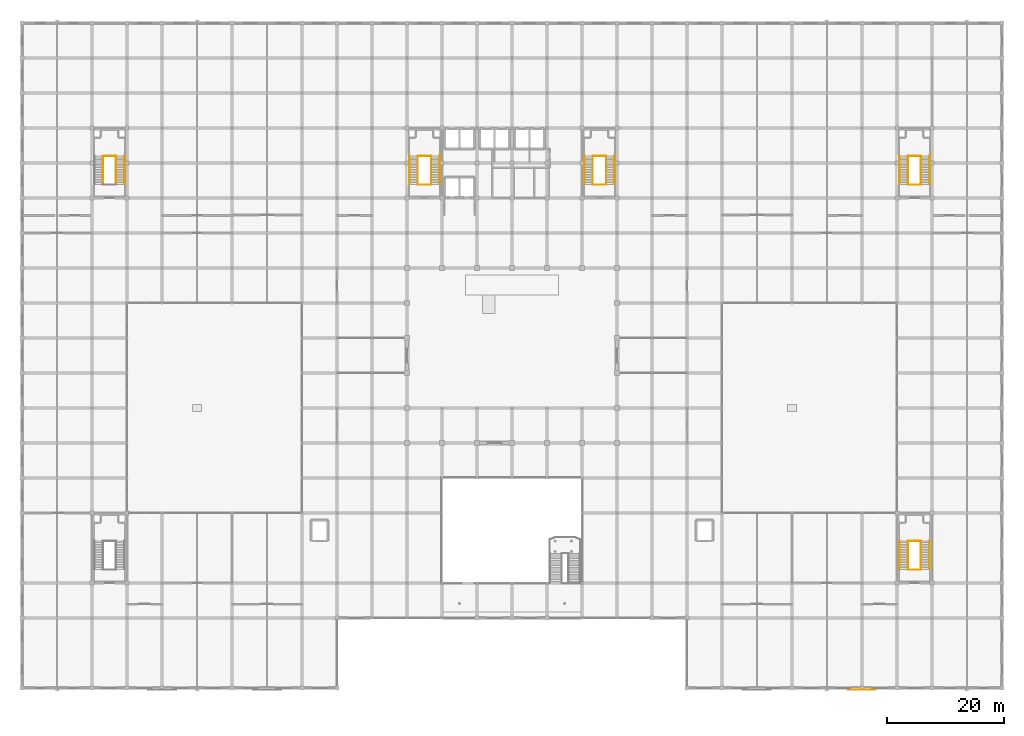
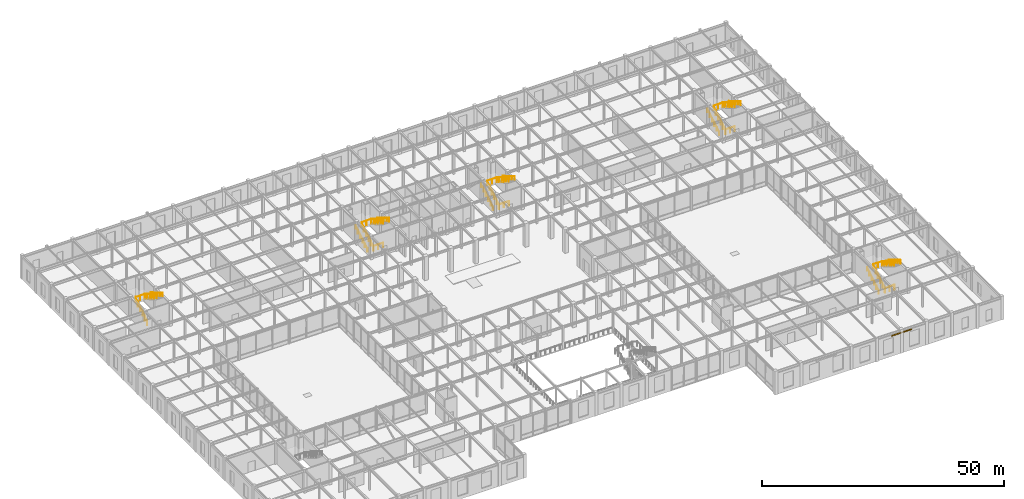
# One storey, part 108 of 108: 18 railings, 1 covering.
"""IFC4 building model written with IfcOpenShell, lengths in metres."""

from ifc_helpers import new_model, si_unit, direction, frame, origin, origin_2d, place, context, subcontext, project, spatial, rectangle, circle, extrude, material, layer, layer_set, type_object, element, save


model = new_model("IFC4")

# Units and contexts
model_context = context("Model", 3, precision=1e-05, world=origin(), true_north=direction((0.0, 1.0)))
body_context = subcontext(model_context, "Body", "Model", "MODEL_VIEW")
ifc_project = project(units=[si_unit("LENGTHUNIT", "METRE"), si_unit("AREAUNIT", "SQUARE_METRE"), si_unit("VOLUMEUNIT", "CUBIC_METRE"), si_unit("PLANEANGLEUNIT", "RADIAN"), si_unit("MASSUNIT", "GRAM", prefix="KILO")], contexts=[model_context])

# Site, building, storey
site_placement = place(None, origin())
site = spatial("IfcSite", under=ifc_project, at=site_placement, CompositionType="ELEMENT")
building_placement = place(site_placement, origin())
building = spatial("IfcBuilding", under=site, at=building_placement, Name="Zlatovratsky Civic Hall", CompositionType="ELEMENT")
storey_placement = place(building_placement, frame((0.0, 0.0, 6.0)))
storey = spatial("IfcBuildingStorey", under=building, at=storey_placement, Name="L02", CompositionType="ELEMENT", Elevation=6.0)

# Covering
ifc_material_1 = material(Name="Podolsk limestone ashlar", Category="masonry")
ifc_layer = layer(ifc_material_1, 0.054931640625)
ifc_layer_set = layer_set([ifc_layer], Name="Podolsk limestone ashlar")
covering_type = type_object("IfcCoveringType", Name="Covering_CorniceCladding_55", PredefinedType="CLADDING", material=ifc_layer_set)
covering_placement = place(storey_placement, frame((144.0, -0.297607421875, 5.009765625), z_axis=(0.0, 0.0, 1.0), x_axis=(1.0, 0.0, 0.0)))
element("IfcCovering", 1, at=covering_placement, inside=storey, type_object=covering_type, Name="CLD-008", PredefinedType="CLADDING", context=body_context, shape_type="SweptSolid", body=[
    extrude(rectangle(XDim=4.800048828125, YDim=0.054931640625, at=origin_2d()), origin(), (0.0, 0.0, 1.0), 0.300048828125),
])

# Railings
ifc_material_2 = material(Name="Brushed stainless steel AISI 304", Category="steel")
railing_type_1 = type_object("IfcRailingType", Name="Railing_Guardrail_1200", PredefinedType="GUARDRAIL", material=ifc_material_2)
railing_1_placement = place(storey_placement, frame((67.840087890625, 86.35009765625, 0.0)))
element("IfcRailing", 2, at=railing_1_placement, inside=storey, type_object=railing_type_1, Name="RL-0508", PredefinedType="GUARDRAIL", context=body_context, shape_type="SweptSolid", body=[
    extrude(circle(Radius=0.02392578125, at=origin_2d()), frame((0.0, 0.0, 1.17578125), z_axis=(0.0, 0.850207620408, 0.526447530339), x_axis=(-1.0, 0.0, 0.0)), (0.0, 0.0, 1.0), 5.698486328125),
    extrude(circle(Radius=0.02392578125, at=origin_2d()), frame((0.0, 4.844970703125, 4.17578125), z_axis=(1.0, 0.0, 0.0), x_axis=(0.0, 1.0, 0.0)), (0.0, 0.0, 1.0), 2.31982421875),
    extrude(circle(Radius=0.02392578125, at=origin_2d()), frame((2.31982421875, 4.844970703125, 4.17578125), z_axis=(0.0, -0.850207620408, 0.526447530339), x_axis=(1.0, 0.0, 0.0)), (0.0, 0.0, 1.0), 5.698486328125),
    extrude(circle(Radius=0.02099609375, at=origin_2d()), origin(), (0.0, 0.0, 1.0), 1.15185546875),
    extrude(circle(Radius=0.02099609375, at=origin_2d()), frame((0.0, 0.968994140625, 0.60009765625)), (0.0, 0.0, 1.0), 1.15185546875),
    extrude(circle(Radius=0.02099609375, at=origin_2d()), frame((0.0, 1.93798828125, 1.199951171875)), (0.0, 0.0, 1.0), 1.15185546875),
    extrude(circle(Radius=0.02099609375, at=origin_2d()), frame((0.0, 2.906982421875, 1.800048828125)), (0.0, 0.0, 1.0), 1.15185546875),
    extrude(circle(Radius=0.02099609375, at=origin_2d()), frame((0.0, 3.8759765625, 2.39990234375)), (0.0, 0.0, 1.0), 1.15185546875),
    extrude(circle(Radius=0.02099609375, at=origin_2d()), frame((0.0, 4.844970703125, 3.0)), (0.0, 0.0, 1.0), 1.15185546875),
    extrude(circle(Radius=0.02099609375, at=origin_2d()), frame((1.159912109375, 4.844970703125, 3.0)), (0.0, 0.0, 1.0), 1.15185546875),
    extrude(circle(Radius=0.02099609375, at=origin_2d()), frame((2.31982421875, 4.844970703125, 3.0)), (0.0, 0.0, 1.0), 1.15185546875),
    extrude(circle(Radius=0.02099609375, at=origin_2d()), frame((2.31982421875, 3.8759765625, 3.60009765625)), (0.0, 0.0, 1.0), 1.15185546875),
    extrude(circle(Radius=0.02099609375, at=origin_2d()), frame((2.31982421875, 2.906982421875, 4.199951171875)), (0.0, 0.0, 1.0), 1.15185546875),
    extrude(circle(Radius=0.02099609375, at=origin_2d()), frame((2.31982421875, 1.93798828125, 4.800048828125)), (0.0, 0.0, 1.0), 1.15185546875),
    extrude(circle(Radius=0.02099609375, at=origin_2d()), frame((2.31982421875, 0.968994140625, 5.39990234375)), (0.0, 0.0, 1.0), 1.15185546875),
    extrude(circle(Radius=0.02099609375, at=origin_2d()), frame((2.31982421875, 0.0, 6.0)), (0.0, 0.0, 1.0), 1.15185546875),
])
railing_2_placement = place(storey_placement, frame((67.840087890625, 86.27001953125, 0.0)))
element("IfcRailing", 3, at=railing_2_placement, inside=storey, type_object=railing_type_1, Name="RL-0511", PredefinedType="GUARDRAIL", context=body_context, shape_type="SweptSolid", body=[
    extrude(circle(Radius=0.02392578125, at=origin_2d()), frame((0.0, 0.0, 1.17578125), z_axis=(1.0, 0.0, 0.0), x_axis=(0.0, 1.0, 0.0)), (0.0, 0.0, 1.0), 2.31982421875),
    extrude(circle(Radius=0.02099609375, at=origin_2d()), origin(), (0.0, 0.0, 1.0), 1.15185546875),
    extrude(circle(Radius=0.02099609375, at=origin_2d()), frame((1.159912109375, 0.0, 0.0)), (0.0, 0.0, 1.0), 1.15185546875),
    extrude(circle(Radius=0.02099609375, at=origin_2d()), frame((2.31982421875, 0.0, 0.0)), (0.0, 0.0, 1.0), 1.15185546875),
])
railing_3_placement = place(storey_placement, frame((97.840087890625, 86.35009765625, 0.0)))
element("IfcRailing", 4, at=railing_3_placement, inside=storey, type_object=railing_type_1, Name="RL-0584", PredefinedType="GUARDRAIL", context=body_context, shape_type="SweptSolid", body=[
    extrude(circle(Radius=0.02392578125, at=origin_2d()), frame((0.0, 0.0, 1.17578125), z_axis=(0.0, 0.850207620408, 0.526447530339), x_axis=(-1.0, 0.0, 0.0)), (0.0, 0.0, 1.0), 5.698486328125),
    extrude(circle(Radius=0.02392578125, at=origin_2d()), frame((0.0, 4.844970703125, 4.17578125), z_axis=(1.0, 0.0, 0.0), x_axis=(0.0, 1.0, 0.0)), (0.0, 0.0, 1.0), 2.31982421875),
    extrude(circle(Radius=0.02392578125, at=origin_2d()), frame((2.31982421875, 4.844970703125, 4.17578125), z_axis=(0.0, -0.850207620408, 0.526447530339), x_axis=(1.0, 0.0, 0.0)), (0.0, 0.0, 1.0), 5.698486328125),
    extrude(circle(Radius=0.02099609375, at=origin_2d()), origin(), (0.0, 0.0, 1.0), 1.15185546875),
    extrude(circle(Radius=0.02099609375, at=origin_2d()), frame((0.0, 0.968994140625, 0.60009765625)), (0.0, 0.0, 1.0), 1.15185546875),
    extrude(circle(Radius=0.02099609375, at=origin_2d()), frame((0.0, 1.93798828125, 1.199951171875)), (0.0, 0.0, 1.0), 1.15185546875),
    extrude(circle(Radius=0.02099609375, at=origin_2d()), frame((0.0, 2.906982421875, 1.800048828125)), (0.0, 0.0, 1.0), 1.15185546875),
    extrude(circle(Radius=0.02099609375, at=origin_2d()), frame((0.0, 3.8759765625, 2.39990234375)), (0.0, 0.0, 1.0), 1.15185546875),
    extrude(circle(Radius=0.02099609375, at=origin_2d()), frame((0.0, 4.844970703125, 3.0)), (0.0, 0.0, 1.0), 1.15185546875),
    extrude(circle(Radius=0.02099609375, at=origin_2d()), frame((1.159912109375, 4.844970703125, 3.0)), (0.0, 0.0, 1.0), 1.15185546875),
    extrude(circle(Radius=0.02099609375, at=origin_2d()), frame((2.31982421875, 4.844970703125, 3.0)), (0.0, 0.0, 1.0), 1.15185546875),
    extrude(circle(Radius=0.02099609375, at=origin_2d()), frame((2.31982421875, 3.8759765625, 3.60009765625)), (0.0, 0.0, 1.0), 1.15185546875),
    extrude(circle(Radius=0.02099609375, at=origin_2d()), frame((2.31982421875, 2.906982421875, 4.199951171875)), (0.0, 0.0, 1.0), 1.15185546875),
    extrude(circle(Radius=0.02099609375, at=origin_2d()), frame((2.31982421875, 1.93798828125, 4.800048828125)), (0.0, 0.0, 1.0), 1.15185546875),
    extrude(circle(Radius=0.02099609375, at=origin_2d()), frame((2.31982421875, 0.968994140625, 5.39990234375)), (0.0, 0.0, 1.0), 1.15185546875),
    extrude(circle(Radius=0.02099609375, at=origin_2d()), frame((2.31982421875, 0.0, 6.0)), (0.0, 0.0, 1.0), 1.15185546875),
])
railing_4_placement = place(storey_placement, frame((97.840087890625, 86.27001953125, 0.0)))
element("IfcRailing", 5, at=railing_4_placement, inside=storey, type_object=railing_type_1, Name="RL-0587", PredefinedType="GUARDRAIL", context=body_context, shape_type="SweptSolid", body=[
    extrude(circle(Radius=0.02392578125, at=origin_2d()), frame((0.0, 0.0, 1.17578125), z_axis=(1.0, 0.0, 0.0), x_axis=(0.0, 1.0, 0.0)), (0.0, 0.0, 1.0), 2.31982421875),
    extrude(circle(Radius=0.02099609375, at=origin_2d()), origin(), (0.0, 0.0, 1.0), 1.15185546875),
    extrude(circle(Radius=0.02099609375, at=origin_2d()), frame((1.159912109375, 0.0, 0.0)), (0.0, 0.0, 1.0), 1.15185546875),
    extrude(circle(Radius=0.02099609375, at=origin_2d()), frame((2.31982421875, 0.0, 0.0)), (0.0, 0.0, 1.0), 1.15185546875),
])
railing_5_placement = place(storey_placement, frame((151.889892578125, 20.35009765625, 0.0)))
element("IfcRailing", 6, at=railing_5_placement, inside=storey, type_object=railing_type_1, Name="RL-0672", PredefinedType="GUARDRAIL", context=body_context, shape_type="SweptSolid", body=[
    extrude(circle(Radius=0.02392578125, at=origin_2d()), frame((0.0, 0.0, 1.17578125), z_axis=(0.0, 0.850207620408, 0.526447530339), x_axis=(-1.0, 0.0, 0.0)), (0.0, 0.0, 1.0), 5.698486328125),
    extrude(circle(Radius=0.02392578125, at=origin_2d()), frame((0.0, 4.844970703125, 4.17578125), z_axis=(1.0, 0.0, 0.0), x_axis=(0.0, 1.0, 0.0)), (0.0, 0.0, 1.0), 2.22021484375),
    extrude(circle(Radius=0.02392578125, at=origin_2d()), frame((2.22021484375, 4.844970703125, 4.17578125), z_axis=(0.0, -0.850207620408, 0.526447530339), x_axis=(1.0, 0.0, 0.0)), (0.0, 0.0, 1.0), 5.698486328125),
    extrude(circle(Radius=0.02099609375, at=origin_2d()), origin(), (0.0, 0.0, 1.0), 1.15185546875),
    extrude(circle(Radius=0.02099609375, at=origin_2d()), frame((0.0, 0.968994140625, 0.60009765625)), (0.0, 0.0, 1.0), 1.15185546875),
    extrude(circle(Radius=0.02099609375, at=origin_2d()), frame((0.0, 1.93798828125, 1.199951171875)), (0.0, 0.0, 1.0), 1.15185546875),
    extrude(circle(Radius=0.02099609375, at=origin_2d()), frame((0.0, 2.906982421875, 1.800048828125)), (0.0, 0.0, 1.0), 1.15185546875),
    extrude(circle(Radius=0.02099609375, at=origin_2d()), frame((0.0, 3.8759765625, 2.39990234375)), (0.0, 0.0, 1.0), 1.15185546875),
    extrude(circle(Radius=0.02099609375, at=origin_2d()), frame((0.0, 4.844970703125, 3.0)), (0.0, 0.0, 1.0), 1.15185546875),
    extrude(circle(Radius=0.02099609375, at=origin_2d()), frame((1.110107421875, 4.844970703125, 3.0)), (0.0, 0.0, 1.0), 1.15185546875),
    extrude(circle(Radius=0.02099609375, at=origin_2d()), frame((2.22021484375, 4.844970703125, 3.0)), (0.0, 0.0, 1.0), 1.15185546875),
    extrude(circle(Radius=0.02099609375, at=origin_2d()), frame((2.22021484375, 3.8759765625, 3.60009765625)), (0.0, 0.0, 1.0), 1.15185546875),
    extrude(circle(Radius=0.02099609375, at=origin_2d()), frame((2.22021484375, 2.906982421875, 4.199951171875)), (0.0, 0.0, 1.0), 1.15185546875),
    extrude(circle(Radius=0.02099609375, at=origin_2d()), frame((2.22021484375, 1.93798828125, 4.800048828125)), (0.0, 0.0, 1.0), 1.15185546875),
    extrude(circle(Radius=0.02099609375, at=origin_2d()), frame((2.22021484375, 0.968994140625, 5.39990234375)), (0.0, 0.0, 1.0), 1.15185546875),
    extrude(circle(Radius=0.02099609375, at=origin_2d()), frame((2.22021484375, 0.0, 6.0)), (0.0, 0.0, 1.0), 1.15185546875),
])
railing_6_placement = place(storey_placement, frame((151.889892578125, 20.27001953125, 0.0)))
element("IfcRailing", 7, at=railing_6_placement, inside=storey, type_object=railing_type_1, Name="RL-0675", PredefinedType="GUARDRAIL", context=body_context, shape_type="SweptSolid", body=[
    extrude(circle(Radius=0.02392578125, at=origin_2d()), frame((0.0, 0.0, 1.17578125), z_axis=(1.0, 0.0, 0.0), x_axis=(0.0, 1.0, 0.0)), (0.0, 0.0, 1.0), 2.22021484375),
    extrude(circle(Radius=0.02099609375, at=origin_2d()), origin(), (0.0, 0.0, 1.0), 1.15185546875),
    extrude(circle(Radius=0.02099609375, at=origin_2d()), frame((1.110107421875, 0.0, 0.0)), (0.0, 0.0, 1.0), 1.15185546875),
    extrude(circle(Radius=0.02099609375, at=origin_2d()), frame((2.22021484375, 0.0, 0.0)), (0.0, 0.0, 1.0), 1.15185546875),
])
railing_7_placement = place(storey_placement, frame((13.889892578125, 86.35009765625, 0.0)))
element("IfcRailing", 8, at=railing_7_placement, inside=storey, type_object=railing_type_1, Name="RL-0688", PredefinedType="GUARDRAIL", context=body_context, shape_type="SweptSolid", body=[
    extrude(circle(Radius=0.02392578125, at=origin_2d()), frame((0.0, 0.0, 1.17578125), z_axis=(0.0, 0.850207620408, 0.526447530339), x_axis=(-1.0, 0.0, 0.0)), (0.0, 0.0, 1.0), 5.698486328125),
    extrude(circle(Radius=0.02392578125, at=origin_2d()), frame((0.0, 4.844970703125, 4.17578125), z_axis=(1.0, 0.0, 0.0), x_axis=(0.0, 1.0, 0.0)), (0.0, 0.0, 1.0), 2.22021484375),
    extrude(circle(Radius=0.02392578125, at=origin_2d()), frame((2.22021484375, 4.844970703125, 4.17578125), z_axis=(0.0, -0.850207620408, 0.526447530339), x_axis=(1.0, 0.0, 0.0)), (0.0, 0.0, 1.0), 5.698486328125),
    extrude(circle(Radius=0.02099609375, at=origin_2d()), origin(), (0.0, 0.0, 1.0), 1.15185546875),
    extrude(circle(Radius=0.02099609375, at=origin_2d()), frame((0.0, 0.968994140625, 0.60009765625)), (0.0, 0.0, 1.0), 1.15185546875),
    extrude(circle(Radius=0.02099609375, at=origin_2d()), frame((0.0, 1.93798828125, 1.199951171875)), (0.0, 0.0, 1.0), 1.15185546875),
    extrude(circle(Radius=0.02099609375, at=origin_2d()), frame((0.0, 2.906982421875, 1.800048828125)), (0.0, 0.0, 1.0), 1.15185546875),
    extrude(circle(Radius=0.02099609375, at=origin_2d()), frame((0.0, 3.8759765625, 2.39990234375)), (0.0, 0.0, 1.0), 1.15185546875),
    extrude(circle(Radius=0.02099609375, at=origin_2d()), frame((0.0, 4.844970703125, 3.0)), (0.0, 0.0, 1.0), 1.15185546875),
    extrude(circle(Radius=0.02099609375, at=origin_2d()), frame((1.110107421875, 4.844970703125, 3.0)), (0.0, 0.0, 1.0), 1.15185546875),
    extrude(circle(Radius=0.02099609375, at=origin_2d()), frame((2.22021484375, 4.844970703125, 3.0)), (0.0, 0.0, 1.0), 1.15185546875),
    extrude(circle(Radius=0.02099609375, at=origin_2d()), frame((2.22021484375, 3.8759765625, 3.60009765625)), (0.0, 0.0, 1.0), 1.15185546875),
    extrude(circle(Radius=0.02099609375, at=origin_2d()), frame((2.22021484375, 2.906982421875, 4.199951171875)), (0.0, 0.0, 1.0), 1.15185546875),
    extrude(circle(Radius=0.02099609375, at=origin_2d()), frame((2.22021484375, 1.93798828125, 4.800048828125)), (0.0, 0.0, 1.0), 1.15185546875),
    extrude(circle(Radius=0.02099609375, at=origin_2d()), frame((2.22021484375, 0.968994140625, 5.39990234375)), (0.0, 0.0, 1.0), 1.15185546875),
    extrude(circle(Radius=0.02099609375, at=origin_2d()), frame((2.22021484375, 0.0, 6.0)), (0.0, 0.0, 1.0), 1.15185546875),
])
railing_8_placement = place(storey_placement, frame((151.889892578125, 86.35009765625, 0.0)))
element("IfcRailing", 9, at=railing_8_placement, inside=storey, type_object=railing_type_1, Name="RL-0704", PredefinedType="GUARDRAIL", context=body_context, shape_type="SweptSolid", body=[
    extrude(circle(Radius=0.02392578125, at=origin_2d()), frame((0.0, 0.0, 1.17578125), z_axis=(0.0, 0.850207620408, 0.526447530339), x_axis=(-1.0, 0.0, 0.0)), (0.0, 0.0, 1.0), 5.698486328125),
    extrude(circle(Radius=0.02392578125, at=origin_2d()), frame((0.0, 4.844970703125, 4.17578125), z_axis=(1.0, 0.0, 0.0), x_axis=(0.0, 1.0, 0.0)), (0.0, 0.0, 1.0), 2.22021484375),
    extrude(circle(Radius=0.02392578125, at=origin_2d()), frame((2.22021484375, 4.844970703125, 4.17578125), z_axis=(0.0, -0.850207620408, 0.526447530339), x_axis=(1.0, 0.0, 0.0)), (0.0, 0.0, 1.0), 5.698486328125),
    extrude(circle(Radius=0.02099609375, at=origin_2d()), origin(), (0.0, 0.0, 1.0), 1.15185546875),
    extrude(circle(Radius=0.02099609375, at=origin_2d()), frame((0.0, 0.968994140625, 0.60009765625)), (0.0, 0.0, 1.0), 1.15185546875),
    extrude(circle(Radius=0.02099609375, at=origin_2d()), frame((0.0, 1.93798828125, 1.199951171875)), (0.0, 0.0, 1.0), 1.15185546875),
    extrude(circle(Radius=0.02099609375, at=origin_2d()), frame((0.0, 2.906982421875, 1.800048828125)), (0.0, 0.0, 1.0), 1.15185546875),
    extrude(circle(Radius=0.02099609375, at=origin_2d()), frame((0.0, 3.8759765625, 2.39990234375)), (0.0, 0.0, 1.0), 1.15185546875),
    extrude(circle(Radius=0.02099609375, at=origin_2d()), frame((0.0, 4.844970703125, 3.0)), (0.0, 0.0, 1.0), 1.15185546875),
    extrude(circle(Radius=0.02099609375, at=origin_2d()), frame((1.110107421875, 4.844970703125, 3.0)), (0.0, 0.0, 1.0), 1.15185546875),
    extrude(circle(Radius=0.02099609375, at=origin_2d()), frame((2.22021484375, 4.844970703125, 3.0)), (0.0, 0.0, 1.0), 1.15185546875),
    extrude(circle(Radius=0.02099609375, at=origin_2d()), frame((2.22021484375, 3.8759765625, 3.60009765625)), (0.0, 0.0, 1.0), 1.15185546875),
    extrude(circle(Radius=0.02099609375, at=origin_2d()), frame((2.22021484375, 2.906982421875, 4.199951171875)), (0.0, 0.0, 1.0), 1.15185546875),
    extrude(circle(Radius=0.02099609375, at=origin_2d()), frame((2.22021484375, 1.93798828125, 4.800048828125)), (0.0, 0.0, 1.0), 1.15185546875),
    extrude(circle(Radius=0.02099609375, at=origin_2d()), frame((2.22021484375, 0.968994140625, 5.39990234375)), (0.0, 0.0, 1.0), 1.15185546875),
    extrude(circle(Radius=0.02099609375, at=origin_2d()), frame((2.22021484375, 0.0, 6.0)), (0.0, 0.0, 1.0), 1.15185546875),
])
railing_9_placement = place(storey_placement, frame((151.889892578125, 86.27001953125, 0.0)))
element("IfcRailing", 10, at=railing_9_placement, inside=storey, type_object=railing_type_1, Name="RL-0707", PredefinedType="GUARDRAIL", context=body_context, shape_type="SweptSolid", body=[
    extrude(circle(Radius=0.02392578125, at=origin_2d()), frame((0.0, 0.0, 1.17578125), z_axis=(1.0, 0.0, 0.0), x_axis=(0.0, 1.0, 0.0)), (0.0, 0.0, 1.0), 2.22021484375),
    extrude(circle(Radius=0.02099609375, at=origin_2d()), origin(), (0.0, 0.0, 1.0), 1.15185546875),
    extrude(circle(Radius=0.02099609375, at=origin_2d()), frame((1.110107421875, 0.0, 0.0)), (0.0, 0.0, 1.0), 1.15185546875),
    extrude(circle(Radius=0.02099609375, at=origin_2d()), frame((2.22021484375, 0.0, 0.0)), (0.0, 0.0, 1.0), 1.15185546875),
])
railing_type_2 = type_object("IfcRailingType", Name="Railing_Handrail_900", PredefinedType="HANDRAIL", material=ifc_material_2)
railing_10_placement = place(storey_placement, frame((66.429931640625, 86.35009765625, 0.1669921875)))
element("IfcRailing", 11, at=railing_10_placement, inside=storey, type_object=railing_type_2, Name="RL-0509", PredefinedType="HANDRAIL", context=body_context, shape_type="SweptSolid", body=[
    extrude(circle(Radius=0.02392578125, at=origin_2d()), frame((0.0, 0.0, 0.8759765625), z_axis=(0.0, 0.86325305323, 0.504771399833), x_axis=(-1.0, 0.0, 0.0)), (0.0, 0.0, 1.0), 5.612548828125),
    extrude(circle(Radius=0.02099609375, at=origin_2d()), origin(), (0.0, 0.0, 1.0), 0.851806640625),
    extrude(circle(Radius=0.02099609375, at=origin_2d()), frame((0.0, 0.968994140625, 0.566650390625)), (0.0, 0.0, 1.0), 0.851806640625),
    extrude(circle(Radius=0.02099609375, at=origin_2d()), frame((0.0, 1.93798828125, 1.13330078125)), (0.0, 0.0, 1.0), 0.851806640625),
    extrude(circle(Radius=0.02099609375, at=origin_2d()), frame((0.0, 2.906982421875, 1.69970703125)), (0.0, 0.0, 1.0), 0.851806640625),
    extrude(circle(Radius=0.02099609375, at=origin_2d()), frame((0.0, 3.8759765625, 2.266357421875)), (0.0, 0.0, 1.0), 0.851806640625),
    extrude(circle(Radius=0.02099609375, at=origin_2d()), frame((0.0, 4.844970703125, 2.8330078125)), (0.0, 0.0, 1.0), 0.851806640625),
])
railing_11_placement = place(storey_placement, frame((71.570068359375, 91.195068359375, 3.1669921875)))
element("IfcRailing", 12, at=railing_11_placement, inside=storey, type_object=railing_type_2, Name="RL-0510", PredefinedType="HANDRAIL", context=body_context, shape_type="SweptSolid", body=[
    extrude(circle(Radius=0.02392578125, at=origin_2d()), frame((0.0, 0.0, 0.8759765625), z_axis=(0.0, -0.86325305323, 0.504771399833), x_axis=(1.0, 0.0, 0.0)), (0.0, 0.0, 1.0), 5.612548828125),
    extrude(circle(Radius=0.02099609375, at=origin_2d()), origin(), (0.0, 0.0, 1.0), 0.851806640625),
    extrude(circle(Radius=0.02099609375, at=origin_2d()), frame((0.0, -0.968994140625, 0.566650390625)), (0.0, 0.0, 1.0), 0.851806640625),
    extrude(circle(Radius=0.02099609375, at=origin_2d()), frame((0.0, -1.93798828125, 1.13330078125)), (0.0, 0.0, 1.0), 0.851806640625),
    extrude(circle(Radius=0.02099609375, at=origin_2d()), frame((0.0, -2.906982421875, 1.69970703125)), (0.0, 0.0, 1.0), 0.851806640625),
    extrude(circle(Radius=0.02099609375, at=origin_2d()), frame((0.0, -3.8759765625, 2.266357421875)), (0.0, 0.0, 1.0), 0.851806640625),
    extrude(circle(Radius=0.02099609375, at=origin_2d()), frame((0.0, -4.844970703125, 2.8330078125)), (0.0, 0.0, 1.0), 0.851806640625),
])
railing_12_placement = place(storey_placement, frame((96.429931640625, 86.35009765625, 0.1669921875)))
element("IfcRailing", 13, at=railing_12_placement, inside=storey, type_object=railing_type_2, Name="RL-0585", PredefinedType="HANDRAIL", context=body_context, shape_type="SweptSolid", body=[
    extrude(circle(Radius=0.02392578125, at=origin_2d()), frame((0.0, 0.0, 0.8759765625), z_axis=(0.0, 0.86325305323, 0.504771399833), x_axis=(-1.0, 0.0, 0.0)), (0.0, 0.0, 1.0), 5.612548828125),
    extrude(circle(Radius=0.02099609375, at=origin_2d()), origin(), (0.0, 0.0, 1.0), 0.851806640625),
    extrude(circle(Radius=0.02099609375, at=origin_2d()), frame((0.0, 0.968994140625, 0.566650390625)), (0.0, 0.0, 1.0), 0.851806640625),
    extrude(circle(Radius=0.02099609375, at=origin_2d()), frame((0.0, 1.93798828125, 1.13330078125)), (0.0, 0.0, 1.0), 0.851806640625),
    extrude(circle(Radius=0.02099609375, at=origin_2d()), frame((0.0, 2.906982421875, 1.69970703125)), (0.0, 0.0, 1.0), 0.851806640625),
    extrude(circle(Radius=0.02099609375, at=origin_2d()), frame((0.0, 3.8759765625, 2.266357421875)), (0.0, 0.0, 1.0), 0.851806640625),
    extrude(circle(Radius=0.02099609375, at=origin_2d()), frame((0.0, 4.844970703125, 2.8330078125)), (0.0, 0.0, 1.0), 0.851806640625),
])
railing_13_placement = place(storey_placement, frame((101.570068359375, 91.195068359375, 3.1669921875)))
element("IfcRailing", 14, at=railing_13_placement, inside=storey, type_object=railing_type_2, Name="RL-0586", PredefinedType="HANDRAIL", context=body_context, shape_type="SweptSolid", body=[
    extrude(circle(Radius=0.02392578125, at=origin_2d()), frame((0.0, 0.0, 0.8759765625), z_axis=(0.0, -0.86325305323, 0.504771399833), x_axis=(1.0, 0.0, 0.0)), (0.0, 0.0, 1.0), 5.612548828125),
    extrude(circle(Radius=0.02099609375, at=origin_2d()), origin(), (0.0, 0.0, 1.0), 0.851806640625),
    extrude(circle(Radius=0.02099609375, at=origin_2d()), frame((0.0, -0.968994140625, 0.566650390625)), (0.0, 0.0, 1.0), 0.851806640625),
    extrude(circle(Radius=0.02099609375, at=origin_2d()), frame((0.0, -1.93798828125, 1.13330078125)), (0.0, 0.0, 1.0), 0.851806640625),
    extrude(circle(Radius=0.02099609375, at=origin_2d()), frame((0.0, -2.906982421875, 1.69970703125)), (0.0, 0.0, 1.0), 0.851806640625),
    extrude(circle(Radius=0.02099609375, at=origin_2d()), frame((0.0, -3.8759765625, 2.266357421875)), (0.0, 0.0, 1.0), 0.851806640625),
    extrude(circle(Radius=0.02099609375, at=origin_2d()), frame((0.0, -4.844970703125, 2.8330078125)), (0.0, 0.0, 1.0), 0.851806640625),
])
railing_14_placement = place(storey_placement, frame((150.429931640625, 20.35009765625, 0.1669921875)))
element("IfcRailing", 15, at=railing_14_placement, inside=storey, type_object=railing_type_2, Name="RL-0673", PredefinedType="HANDRAIL", context=body_context, shape_type="SweptSolid", body=[
    extrude(circle(Radius=0.02392578125, at=origin_2d()), frame((0.0, 0.0, 0.8759765625), z_axis=(0.0, 0.86325305323, 0.504771399833), x_axis=(-1.0, 0.0, 0.0)), (0.0, 0.0, 1.0), 5.612548828125),
    extrude(circle(Radius=0.02099609375, at=origin_2d()), origin(), (0.0, 0.0, 1.0), 0.851806640625),
    extrude(circle(Radius=0.02099609375, at=origin_2d()), frame((0.0, 0.968994140625, 0.566650390625)), (0.0, 0.0, 1.0), 0.851806640625),
    extrude(circle(Radius=0.02099609375, at=origin_2d()), frame((0.0, 1.93798828125, 1.13330078125)), (0.0, 0.0, 1.0), 0.851806640625),
    extrude(circle(Radius=0.02099609375, at=origin_2d()), frame((0.0, 2.906982421875, 1.69970703125)), (0.0, 0.0, 1.0), 0.851806640625),
    extrude(circle(Radius=0.02099609375, at=origin_2d()), frame((0.0, 3.8759765625, 2.266357421875)), (0.0, 0.0, 1.0), 0.851806640625),
    extrude(circle(Radius=0.02099609375, at=origin_2d()), frame((0.0, 4.844970703125, 2.8330078125)), (0.0, 0.0, 1.0), 0.851806640625),
])
for number, where, name in (
    (16, (155.570068359375, 25.195068359375, 3.1669921875), "RL-0674"),
    (17, (17.570068359375, 91.195068359375, 3.1669921875), "RL-0690"),
):
    element("IfcRailing", number, at=place(storey_placement, frame(where)), inside=storey, type_object=railing_type_2, Name=name, PredefinedType="HANDRAIL", context=body_context, shape_type="SweptSolid", body=[
        extrude(circle(Radius=0.02392578125, at=origin_2d()), frame((0.0, 0.0, 0.8759765625), z_axis=(0.0, -0.86325305323, 0.504771399833), x_axis=(1.0, 0.0, 0.0)), (0.0, 0.0, 1.0), 5.612548828125),
        extrude(circle(Radius=0.02099609375, at=origin_2d()), origin(), (0.0, 0.0, 1.0), 0.851806640625),
        extrude(circle(Radius=0.02099609375, at=origin_2d()), frame((0.0, -0.968994140625, 0.566650390625)), (0.0, 0.0, 1.0), 0.851806640625),
        extrude(circle(Radius=0.02099609375, at=origin_2d()), frame((0.0, -1.93798828125, 1.13330078125)), (0.0, 0.0, 1.0), 0.851806640625),
        extrude(circle(Radius=0.02099609375, at=origin_2d()), frame((0.0, -2.906982421875, 1.69970703125)), (0.0, 0.0, 1.0), 0.851806640625),
        extrude(circle(Radius=0.02099609375, at=origin_2d()), frame((0.0, -3.8759765625, 2.266357421875)), (0.0, 0.0, 1.0), 0.851806640625),
        extrude(circle(Radius=0.02099609375, at=origin_2d()), frame((0.0, -4.844970703125, 2.8330078125)), (0.0, 0.0, 1.0), 0.851806640625),
    ])
railing_15_placement = place(storey_placement, frame((150.429931640625, 86.35009765625, 0.1669921875)))
element("IfcRailing", 18, at=railing_15_placement, inside=storey, type_object=railing_type_2, Name="RL-0705", PredefinedType="HANDRAIL", context=body_context, shape_type="SweptSolid", body=[
    extrude(circle(Radius=0.02392578125, at=origin_2d()), frame((0.0, 0.0, 0.8759765625), z_axis=(0.0, 0.86325305323, 0.504771399833), x_axis=(-1.0, 0.0, 0.0)), (0.0, 0.0, 1.0), 5.612548828125),
    extrude(circle(Radius=0.02099609375, at=origin_2d()), origin(), (0.0, 0.0, 1.0), 0.851806640625),
    extrude(circle(Radius=0.02099609375, at=origin_2d()), frame((0.0, 0.968994140625, 0.566650390625)), (0.0, 0.0, 1.0), 0.851806640625),
    extrude(circle(Radius=0.02099609375, at=origin_2d()), frame((0.0, 1.93798828125, 1.13330078125)), (0.0, 0.0, 1.0), 0.851806640625),
    extrude(circle(Radius=0.02099609375, at=origin_2d()), frame((0.0, 2.906982421875, 1.69970703125)), (0.0, 0.0, 1.0), 0.851806640625),
    extrude(circle(Radius=0.02099609375, at=origin_2d()), frame((0.0, 3.8759765625, 2.266357421875)), (0.0, 0.0, 1.0), 0.851806640625),
    extrude(circle(Radius=0.02099609375, at=origin_2d()), frame((0.0, 4.844970703125, 2.8330078125)), (0.0, 0.0, 1.0), 0.851806640625),
])
railing_16_placement = place(storey_placement, frame((155.570068359375, 91.195068359375, 3.1669921875)))
element("IfcRailing", 19, at=railing_16_placement, inside=storey, type_object=railing_type_2, Name="RL-0706", PredefinedType="HANDRAIL", context=body_context, shape_type="SweptSolid", body=[
    extrude(circle(Radius=0.02392578125, at=origin_2d()), frame((0.0, 0.0, 0.8759765625), z_axis=(0.0, -0.86325305323, 0.504771399833), x_axis=(1.0, 0.0, 0.0)), (0.0, 0.0, 1.0), 5.612548828125),
    extrude(circle(Radius=0.02099609375, at=origin_2d()), origin(), (0.0, 0.0, 1.0), 0.851806640625),
    extrude(circle(Radius=0.02099609375, at=origin_2d()), frame((0.0, -0.968994140625, 0.566650390625)), (0.0, 0.0, 1.0), 0.851806640625),
    extrude(circle(Radius=0.02099609375, at=origin_2d()), frame((0.0, -1.93798828125, 1.13330078125)), (0.0, 0.0, 1.0), 0.851806640625),
    extrude(circle(Radius=0.02099609375, at=origin_2d()), frame((0.0, -2.906982421875, 1.69970703125)), (0.0, 0.0, 1.0), 0.851806640625),
    extrude(circle(Radius=0.02099609375, at=origin_2d()), frame((0.0, -3.8759765625, 2.266357421875)), (0.0, 0.0, 1.0), 0.851806640625),
    extrude(circle(Radius=0.02099609375, at=origin_2d()), frame((0.0, -4.844970703125, 2.8330078125)), (0.0, 0.0, 1.0), 0.851806640625),
])

save(model, "model.ifc")
